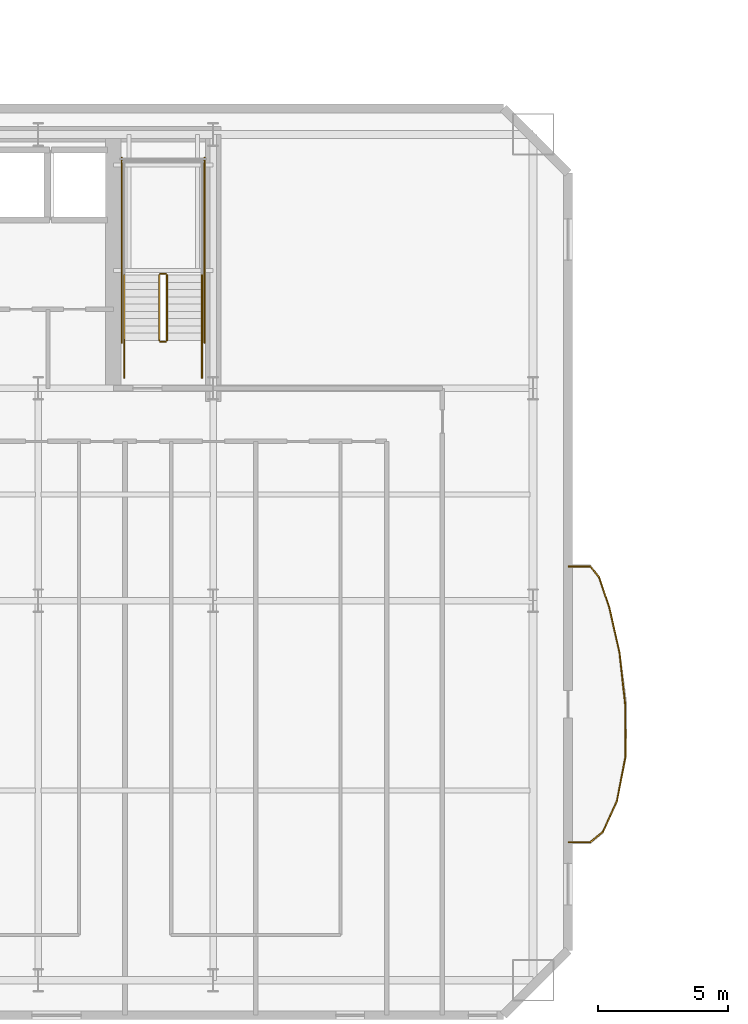
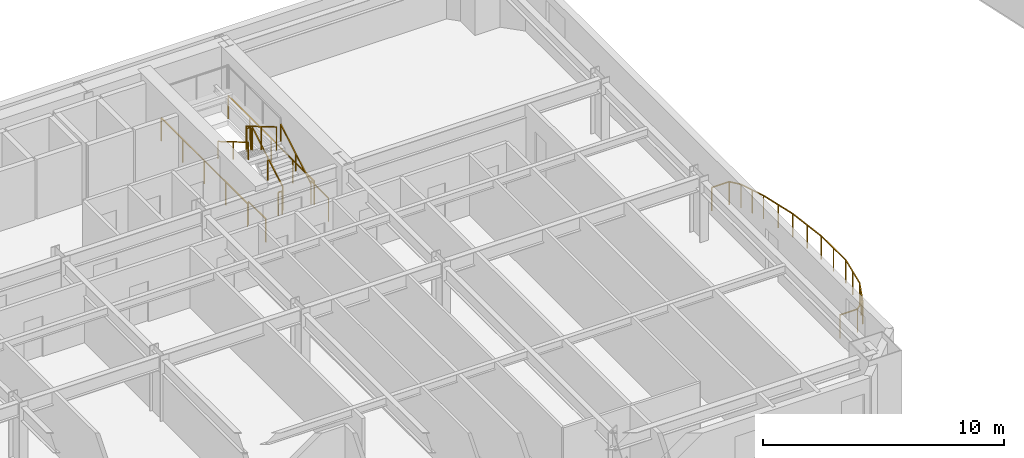
# One storey, part 13 of 17: 20 railings.
"""IFC4 building model written with IfcOpenShell, lengths in metres."""

from ifc_helpers import new_model, si_unit, direction, frame, origin, origin_2d, place, context, subcontext, project, spatial, rectangle, extrude, material, type_object, element, save


model = new_model("IFC4")

# Units and contexts
model_context = context("Model", 3, precision=1e-05, world=origin(), true_north=direction((0.0, 1.0)))
body_context = subcontext(model_context, "Body", "Model", "MODEL_VIEW")
ifc_project = project(units=[si_unit("LENGTHUNIT", "METRE"), si_unit("AREAUNIT", "SQUARE_METRE"), si_unit("VOLUMEUNIT", "CUBIC_METRE"), si_unit("PLANEANGLEUNIT", "RADIAN"), si_unit("MASSUNIT", "GRAM", prefix="KILO")], contexts=[model_context])

# Site, building, storey
site_placement = place(None, origin())
site = spatial("IfcSite", under=ifc_project, at=site_placement, CompositionType="ELEMENT")
building_placement = place(site_placement, origin())
building = spatial("IfcBuilding", under=site, at=building_placement, Name="Haevon Station Towers", CompositionType="ELEMENT")
storey_placement = place(building_placement, frame((0.0, 0.0, 33.89990234375)))
storey = spatial("IfcBuildingStorey", under=building, at=storey_placement, Name="L07", CompositionType="ELEMENT", Elevation=33.89990234375)

# Railings
ifc_material = material(Name="Steel S355", Category="steel")
railing_type_1 = type_object("IfcRailingType", Name="GRD-EXT1200", PredefinedType="GUARDRAIL", material=ifc_material)
railing_1_placement = place(storey_placement, frame((64.7236328125, 20.677734375, 0.0)))
element("IfcRailing", 1, at=railing_1_placement, inside=storey, type_object=railing_type_1, Name="L07 Perimeter Guardrail 1", PredefinedType="GUARDRAIL", context=body_context, shape_type="SweptSolid", body=[
    extrude(rectangle(XDim=0.048095703125, YDim=0.048095703125, at=origin_2d()), frame((0.0, 0.0, 1.17578125), z_axis=(0.999997283225, 0.002330995998, 0.0), x_axis=(-0.002330995998, 0.999997283225, 0.0)), (0.0, 0.0, 1.0), 0.837890625),
    extrude(rectangle(XDim=0.0419921875, YDim=0.0419921875, at=origin_2d()), origin(), (0.0, 0.0, 1.0), 1.15185546875),
    extrude(rectangle(XDim=0.0419921875, YDim=0.0419921875, at=origin_2d()), frame((0.837890625, 0.001953125, 0.0)), (0.0, 0.0, 1.0), 1.15185546875),
])
railing_2_placement = place(storey_placement, frame((65.5615234375, 20.6796875, 0.0)))
element("IfcRailing", 2, at=railing_2_placement, inside=storey, type_object=railing_type_1, Name="L07 Perimeter Guardrail 2", PredefinedType="GUARDRAIL", context=body_context, shape_type="SweptSolid", body=[
    extrude(rectangle(XDim=0.048095703125, YDim=0.048095703125, at=origin_2d()), frame((0.0, 0.0, 1.17578125), z_axis=(0.766342909973, 0.642431742938, 0.0), x_axis=(-0.642431742938, 0.766342909973, 0.0)), (0.0, 0.0, 1.0), 0.640380859375),
    extrude(rectangle(XDim=0.0419921875, YDim=0.0419921875, at=origin_2d()), origin(), (0.0, 0.0, 1.0), 1.15185546875),
    extrude(rectangle(XDim=0.0419921875, YDim=0.0419921875, at=origin_2d()), frame((0.49072265625, 0.411376953125, 0.0)), (0.0, 0.0, 1.0), 1.15185546875),
])
railing_3_placement = place(storey_placement, frame((66.05224609375, 21.091064453125, 0.0)))
element("IfcRailing", 3, at=railing_3_placement, inside=storey, type_object=railing_type_1, Name="L07 Perimeter Guardrail 3", PredefinedType="GUARDRAIL", context=body_context, shape_type="SweptSolid", body=[
    extrude(rectangle(XDim=0.048095703125, YDim=0.048095703125, at=origin_2d()), frame((0.0, 0.0, 1.17578125), z_axis=(0.41447546993, 0.910060484158, 0.0), x_axis=(-0.910060484158, 0.41447546993, 0.0)), (0.0, 0.0, 1.0), 1.28515625),
    extrude(rectangle(XDim=0.0419921875, YDim=0.0419921875, at=origin_2d()), origin(), (0.0, 0.0, 1.0), 1.15185546875),
    extrude(rectangle(XDim=0.0419921875, YDim=0.0419921875, at=origin_2d()), frame((0.266357421875, 0.5849609375, 0.0)), (0.0, 0.0, 1.0), 1.15185546875),
    extrude(rectangle(XDim=0.0419921875, YDim=0.0419921875, at=origin_2d()), frame((0.53271484375, 1.169677734375, 0.0)), (0.0, 0.0, 1.0), 1.15185546875),
])
railing_4_placement = place(storey_placement, frame((66.5849609375, 22.2607421875, 0.0)))
element("IfcRailing", 4, at=railing_4_placement, inside=storey, type_object=railing_type_1, Name="L07 Perimeter Guardrail 4", PredefinedType="GUARDRAIL", context=body_context, shape_type="SweptSolid", body=[
    extrude(rectangle(XDim=0.048095703125, YDim=0.048095703125, at=origin_2d()), frame((0.0, 0.0, 1.17578125), z_axis=(0.189270206795, 0.981925042363, 0.0), x_axis=(-0.981925042363, 0.189270206795, 0.0)), (0.0, 0.0, 1.0), 1.777587890625),
    extrude(rectangle(XDim=0.0419921875, YDim=0.0419921875, at=origin_2d()), origin(), (0.0, 0.0, 1.0), 1.15185546875),
    extrude(rectangle(XDim=0.0419921875, YDim=0.0419921875, at=origin_2d()), frame((0.168212890625, 0.87255859375, 0.0)), (0.0, 0.0, 1.0), 1.15185546875),
    extrude(rectangle(XDim=0.0419921875, YDim=0.0419921875, at=origin_2d()), frame((0.33642578125, 1.745361328125, 0.0)), (0.0, 0.0, 1.0), 1.15185546875),
])
railing_5_placement = place(storey_placement, frame((66.92138671875, 24.006103515625, 0.0)))
element("IfcRailing", 5, at=railing_5_placement, inside=storey, type_object=railing_type_1, Name="L07 Perimeter Guardrail 5", PredefinedType="GUARDRAIL", context=body_context, shape_type="SweptSolid", body=[
    extrude(rectangle(XDim=0.048095703125, YDim=0.048095703125, at=origin_2d()), frame((0.0, 0.0, 1.17578125), z_axis=(-0.008448333236, 0.999964312196, 0.0), x_axis=(-0.999964312196, -0.008448333236, 0.0)), (0.0, 0.0, 1.0), 1.993896484375),
    extrude(rectangle(XDim=0.0419921875, YDim=0.0419921875, at=origin_2d()), origin(), (0.0, 0.0, 1.0), 1.15185546875),
    extrude(rectangle(XDim=0.0419921875, YDim=0.0419921875, at=origin_2d()), frame((-0.00830078125, 0.9970703125, 0.0)), (0.0, 0.0, 1.0), 1.15185546875),
    extrude(rectangle(XDim=0.0419921875, YDim=0.0419921875, at=origin_2d()), frame((-0.016845703125, 1.993896484375, 0.0)), (0.0, 0.0, 1.0), 1.15185546875),
])
railing_6_placement = place(storey_placement, frame((66.904541015625, 26.0, 0.0)))
element("IfcRailing", 6, at=railing_6_placement, inside=storey, type_object=railing_type_1, Name="L07 Perimeter Guardrail 6", PredefinedType="GUARDRAIL", context=body_context, shape_type="SweptSolid", body=[
    extrude(rectangle(XDim=0.048095703125, YDim=0.048095703125, at=origin_2d()), frame((0.0, 0.0, 1.17578125), z_axis=(-0.108973140027, 0.994044694545, 0.0), x_axis=(-0.994044694545, -0.108973140027, 0.0)), (0.0, 0.0, 1.0), 2.0029296875),
    extrude(rectangle(XDim=0.0419921875, YDim=0.0419921875, at=origin_2d()), origin(), (0.0, 0.0, 1.0), 1.15185546875),
    extrude(rectangle(XDim=0.0419921875, YDim=0.0419921875, at=origin_2d()), frame((-0.109130859375, 0.99560546875, 0.0)), (0.0, 0.0, 1.0), 1.15185546875),
    extrude(rectangle(XDim=0.0419921875, YDim=0.0419921875, at=origin_2d()), frame((-0.21826171875, 1.990966796875, 0.0)), (0.0, 0.0, 1.0), 1.15185546875),
])
railing_7_placement = place(storey_placement, frame((66.686279296875, 27.990966796875, 0.0)))
element("IfcRailing", 7, at=railing_7_placement, inside=storey, type_object=railing_type_1, Name="L07 Perimeter Guardrail 7", PredefinedType="GUARDRAIL", context=body_context, shape_type="SweptSolid", body=[
    extrude(rectangle(XDim=0.048095703125, YDim=0.048095703125, at=origin_2d()), frame((0.0, 0.0, 1.17578125), z_axis=(-0.219570571944, 0.975596619478, 0.0), x_axis=(-0.975596619478, -0.219570571944, 0.0)), (0.0, 0.0, 1.0), 1.791259765625),
    extrude(rectangle(XDim=0.0419921875, YDim=0.0419921875, at=origin_2d()), origin(), (0.0, 0.0, 1.0), 1.15185546875),
    extrude(rectangle(XDim=0.0419921875, YDim=0.0419921875, at=origin_2d()), frame((-0.19677734375, 0.873779296875, 0.0)), (0.0, 0.0, 1.0), 1.15185546875),
    extrude(rectangle(XDim=0.0419921875, YDim=0.0419921875, at=origin_2d()), frame((-0.393310546875, 1.74755859375, 0.0)), (0.0, 0.0, 1.0), 1.15185546875),
])
railing_8_placement = place(storey_placement, frame((66.29296875, 29.738525390625, 0.0)))
element("IfcRailing", 8, at=railing_8_placement, inside=storey, type_object=railing_type_1, Name="L07 Perimeter Guardrail 8", PredefinedType="GUARDRAIL", context=body_context, shape_type="SweptSolid", body=[
    extrude(rectangle(XDim=0.048095703125, YDim=0.048095703125, at=origin_2d()), frame((0.0, 0.0, 1.17578125), z_axis=(-0.324031686844, 0.946046228216, 0.0), x_axis=(-0.946046228216, -0.324031686844, 0.0)), (0.0, 0.0, 1.0), 1.237060546875),
    extrude(rectangle(XDim=0.0419921875, YDim=0.0419921875, at=origin_2d()), origin(), (0.0, 0.0, 1.0), 1.15185546875),
    extrude(rectangle(XDim=0.0419921875, YDim=0.0419921875, at=origin_2d()), frame((-0.200439453125, 0.585205078125, 0.0)), (0.0, 0.0, 1.0), 1.15185546875),
    extrude(rectangle(XDim=0.0419921875, YDim=0.0419921875, at=origin_2d()), frame((-0.40087890625, 1.17041015625, 0.0)), (0.0, 0.0, 1.0), 1.15185546875),
])
railing_9_placement = place(storey_placement, frame((65.89208984375, 30.908935546875, 0.0)))
element("IfcRailing", 9, at=railing_9_placement, inside=storey, type_object=railing_type_1, Name="L07 Perimeter Guardrail 9", PredefinedType="GUARDRAIL", context=body_context, shape_type="SweptSolid", body=[
    extrude(rectangle(XDim=0.048095703125, YDim=0.048095703125, at=origin_2d()), frame((0.0, 0.0, 1.17578125), z_axis=(-0.626386088605, 0.779512968463, 0.0), x_axis=(-0.779512968463, -0.626386088605, 0.0)), (0.0, 0.0, 1.0), 0.52783203125),
    extrude(rectangle(XDim=0.0419921875, YDim=0.0419921875, at=origin_2d()), origin(), (0.0, 0.0, 1.0), 1.15185546875),
    extrude(rectangle(XDim=0.0419921875, YDim=0.0419921875, at=origin_2d()), frame((-0.33056640625, 0.411376953125, 0.0)), (0.0, 0.0, 1.0), 1.15185546875),
])
railing_10_placement = place(storey_placement, frame((65.5615234375, 31.3203125, 0.0)))
element("IfcRailing", 10, at=railing_10_placement, inside=storey, type_object=railing_type_1, Name="L07 Perimeter Guardrail 10", PredefinedType="GUARDRAIL", context=body_context, shape_type="SweptSolid", body=[
    extrude(rectangle(XDim=0.048095703125, YDim=0.048095703125, at=origin_2d()), frame((0.0, 0.0, 1.17578125), z_axis=(-0.999997283225, 0.002330995998, 0.0), x_axis=(-0.002330995998, -0.999997283225, 0.0)), (0.0, 0.0, 1.0), 0.837890625),
    extrude(rectangle(XDim=0.0419921875, YDim=0.0419921875, at=origin_2d()), origin(), (0.0, 0.0, 1.0), 1.15185546875),
    extrude(rectangle(XDim=0.0419921875, YDim=0.0419921875, at=origin_2d()), frame((-0.837890625, 0.001953125, 0.0)), (0.0, 0.0, 1.0), 1.15185546875),
])
railing_type_2 = type_object("IfcRailingType", Name="GRD-STR1200", PredefinedType="GUARDRAIL", material=ifc_material)
railing_11_placement = place(storey_placement, frame((49.219970703125, 40.050048828125, 0.1650390625)))
element("IfcRailing", 11, at=railing_11_placement, inside=storey, type_object=railing_type_2, Name="L07 ST2 Stair Guard 1", PredefinedType="GUARDRAIL", context=body_context, shape_type="SweptSolid", body=[
    extrude(rectangle(XDim=0.048095703125, YDim=0.048095703125, at=origin_2d()), frame((0.0, 0.0, 1.17578125), z_axis=(0.0, 0.86152411907, 0.507716645641), x_axis=(-1.0, 0.0, 0.0)), (0.0, 0.0, 1.0), 2.925048828125),
    extrude(rectangle(XDim=0.0419921875, YDim=0.0419921875, at=origin_2d()), origin(), (0.0, 0.0, 1.0), 1.15185546875),
    extrude(rectangle(XDim=0.0419921875, YDim=0.0419921875, at=origin_2d()), frame((0.0, 1.260009765625, 0.74267578125)), (0.0, 0.0, 1.0), 1.15185546875),
    extrude(rectangle(XDim=0.0419921875, YDim=0.0419921875, at=origin_2d()), frame((0.0, 2.52001953125, 1.485107421875)), (0.0, 0.0, 1.0), 1.15185546875),
])
railing_12_placement = place(storey_placement, frame((49.169921875, 42.6201171875, 1.650146484375)))
element("IfcRailing", 12, at=railing_12_placement, inside=storey, type_object=railing_type_2, Name="L07 ST2 Stair Guard 2", PredefinedType="GUARDRAIL", context=body_context, shape_type="SweptSolid", body=[
    extrude(rectangle(XDim=0.048095703125, YDim=0.048095703125, at=origin_2d()), frame((0.0, 0.0, 1.17578125), z_axis=(-1.0, 0.0, 0.0), x_axis=(0.0, -1.0, 0.0)), (0.0, 0.0, 1.0), 0.199951171875),
    extrude(rectangle(XDim=0.0419921875, YDim=0.0419921875, at=origin_2d()), origin(), (0.0, 0.0, 1.0), 1.15185546875),
    extrude(rectangle(XDim=0.0419921875, YDim=0.0419921875, at=origin_2d()), frame((-0.199951171875, 0.0, 0.0)), (0.0, 0.0, 1.0), 1.15185546875),
])
railing_13_placement = place(storey_placement, frame((48.919921875, 42.570068359375, 1.815185546875)))
element("IfcRailing", 13, at=railing_13_placement, inside=storey, type_object=railing_type_2, Name="L07 ST2 Stair Guard 6", PredefinedType="GUARDRAIL", context=body_context, shape_type="SweptSolid", body=[
    extrude(rectangle(XDim=0.048095703125, YDim=0.048095703125, at=origin_2d()), frame((0.0, 0.0, 1.17578125), z_axis=(0.0, -0.861560626758, 0.507654692109), x_axis=(1.0, 0.0, 0.0)), (0.0, 0.0, 1.0), 2.925048828125),
    extrude(rectangle(XDim=0.0419921875, YDim=0.0419921875, at=origin_2d()), origin(), (0.0, 0.0, 1.0), 1.15185546875),
    extrude(rectangle(XDim=0.0419921875, YDim=0.0419921875, at=origin_2d()), frame((0.0, -1.260009765625, 0.742431640625)), (0.0, 0.0, 1.0), 1.15185546875),
    extrude(rectangle(XDim=0.0419921875, YDim=0.0419921875, at=origin_2d()), frame((0.0, -2.52001953125, 1.48486328125)), (0.0, 0.0, 1.0), 1.15185546875),
])
railing_14_placement = place(storey_placement, frame((49.169921875, 40.0, 0.0)))
element("IfcRailing", 14, at=railing_14_placement, inside=storey, type_object=railing_type_2, Name="L07 ST2 Stair Guard 7", PredefinedType="GUARDRAIL", context=body_context, shape_type="SweptSolid", body=[
    extrude(rectangle(XDim=0.048095703125, YDim=0.048095703125, at=origin_2d()), frame((0.0, 0.0, 1.17578125), z_axis=(-1.0, 0.0, 0.0), x_axis=(0.0, -1.0, 0.0)), (0.0, 0.0, 1.0), 0.199951171875),
    extrude(rectangle(XDim=0.0419921875, YDim=0.0419921875, at=origin_2d()), origin(), (0.0, 0.0, 1.0), 1.15185546875),
    extrude(rectangle(XDim=0.0419921875, YDim=0.0419921875, at=origin_2d()), frame((-0.199951171875, 0.0, 0.0)), (0.0, 0.0, 1.0), 1.15185546875),
])
for number, where, name in (
    (15, (50.570068359375, 38.60009765625, 0.0), "L07 ST2 Stair Guard 8"),
    (16, (47.570068359375, 38.60009765625, 0.0), "L07 ST2 Stair Guard 9"),
):
    element("IfcRailing", number, at=place(storey_placement, frame(where)), inside=storey, type_object=railing_type_2, Name=name, PredefinedType="GUARDRAIL", context=body_context, shape_type="SweptSolid", body=[
        extrude(rectangle(XDim=0.048095703125, YDim=0.048095703125, at=origin_2d()), frame((0.0, 0.0, 1.17578125), z_axis=(0.0, 1.0, 0.0), x_axis=(-1.0, 0.0, 0.0)), (0.0, 0.0, 1.0), 1.449951171875),
        extrude(rectangle(XDim=0.0419921875, YDim=0.0419921875, at=origin_2d()), origin(), (0.0, 0.0, 1.0), 1.15185546875),
        extrude(rectangle(XDim=0.0419921875, YDim=0.0419921875, at=origin_2d()), frame((0.0, 1.449951171875, 0.0)), (0.0, 0.0, 1.0), 1.15185546875),
    ])
for number, where, name in (
    (17, (50.669921875, 39.949951171875, 0.0), "L07 ST2 Stair Guard 10"),
    (18, (47.469970703125, 39.949951171875, 0.0), "L07 ST2 Stair Guard 11"),
):
    element("IfcRailing", number, at=place(storey_placement, frame(where)), inside=storey, type_object=railing_type_2, Name=name, PredefinedType="GUARDRAIL", context=body_context, shape_type="SweptSolid", body=[
        extrude(rectangle(XDim=0.048095703125, YDim=0.048095703125, at=origin_2d()), frame((0.0, 0.0, 1.17578125), z_axis=(0.0, 1.0, 0.0), x_axis=(-1.0, 0.0, 0.0)), (0.0, 0.0, 1.0), 7.150146484375),
        extrude(rectangle(XDim=0.0419921875, YDim=0.0419921875, at=origin_2d()), origin(), (0.0, 0.0, 1.0), 1.15185546875),
        extrude(rectangle(XDim=0.0419921875, YDim=0.0419921875, at=origin_2d()), frame((0.0, 1.78759765625, 0.0)), (0.0, 0.0, 1.0), 1.15185546875),
        extrude(rectangle(XDim=0.0419921875, YDim=0.0419921875, at=origin_2d()), frame((0.0, 3.5751953125, 0.0)), (0.0, 0.0, 1.0), 1.15185546875),
        extrude(rectangle(XDim=0.0419921875, YDim=0.0419921875, at=origin_2d()), frame((0.0, 5.362548828125, 0.0)), (0.0, 0.0, 1.0), 1.15185546875),
        extrude(rectangle(XDim=0.0419921875, YDim=0.0419921875, at=origin_2d()), frame((0.0, 7.150146484375, 0.0)), (0.0, 0.0, 1.0), 1.15185546875),
    ])
railing_type_3 = type_object("IfcRailingType", Name="HND-STR900", PredefinedType="HANDRAIL", material=ifc_material)
railing_15_placement = place(storey_placement, frame((50.570068359375, 40.050048828125, 0.1650390625)))
element("IfcRailing", 19, at=railing_15_placement, inside=storey, type_object=railing_type_3, Name="L07 ST2 Stair Handrail 1", PredefinedType="HANDRAIL", context=body_context, shape_type="SweptSolid", body=[
    extrude(rectangle(XDim=0.048095703125, YDim=0.048095703125, at=origin_2d()), frame((0.0, 0.0, 0.8759765625), z_axis=(0.0, 0.86152411907, 0.507716645641), x_axis=(-1.0, 0.0, 0.0)), (0.0, 0.0, 1.0), 2.925048828125),
    extrude(rectangle(XDim=0.0419921875, YDim=0.0419921875, at=origin_2d()), origin(), (0.0, 0.0, 1.0), 0.851806640625),
    extrude(rectangle(XDim=0.0419921875, YDim=0.0419921875, at=origin_2d()), frame((0.0, 1.260009765625, 0.74267578125)), (0.0, 0.0, 1.0), 0.851806640625),
    extrude(rectangle(XDim=0.0419921875, YDim=0.0419921875, at=origin_2d()), frame((0.0, 2.52001953125, 1.485107421875)), (0.0, 0.0, 1.0), 0.851806640625),
])
railing_16_placement = place(storey_placement, frame((47.570068359375, 42.570068359375, 1.815185546875)))
element("IfcRailing", 20, at=railing_16_placement, inside=storey, type_object=railing_type_3, Name="L07 ST2 Stair Handrail 2", PredefinedType="HANDRAIL", context=body_context, shape_type="SweptSolid", body=[
    extrude(rectangle(XDim=0.048095703125, YDim=0.048095703125, at=origin_2d()), frame((0.0, 0.0, 0.8759765625), z_axis=(0.0, -0.861560626758, 0.507654692109), x_axis=(1.0, 0.0, 0.0)), (0.0, 0.0, 1.0), 2.925048828125),
    extrude(rectangle(XDim=0.0419921875, YDim=0.0419921875, at=origin_2d()), origin(), (0.0, 0.0, 1.0), 0.851806640625),
    extrude(rectangle(XDim=0.0419921875, YDim=0.0419921875, at=origin_2d()), frame((0.0, -1.260009765625, 0.742431640625)), (0.0, 0.0, 1.0), 0.851806640625),
    extrude(rectangle(XDim=0.0419921875, YDim=0.0419921875, at=origin_2d()), frame((0.0, -2.52001953125, 1.48486328125)), (0.0, 0.0, 1.0), 0.851806640625),
])

save(model, "model.ifc")
